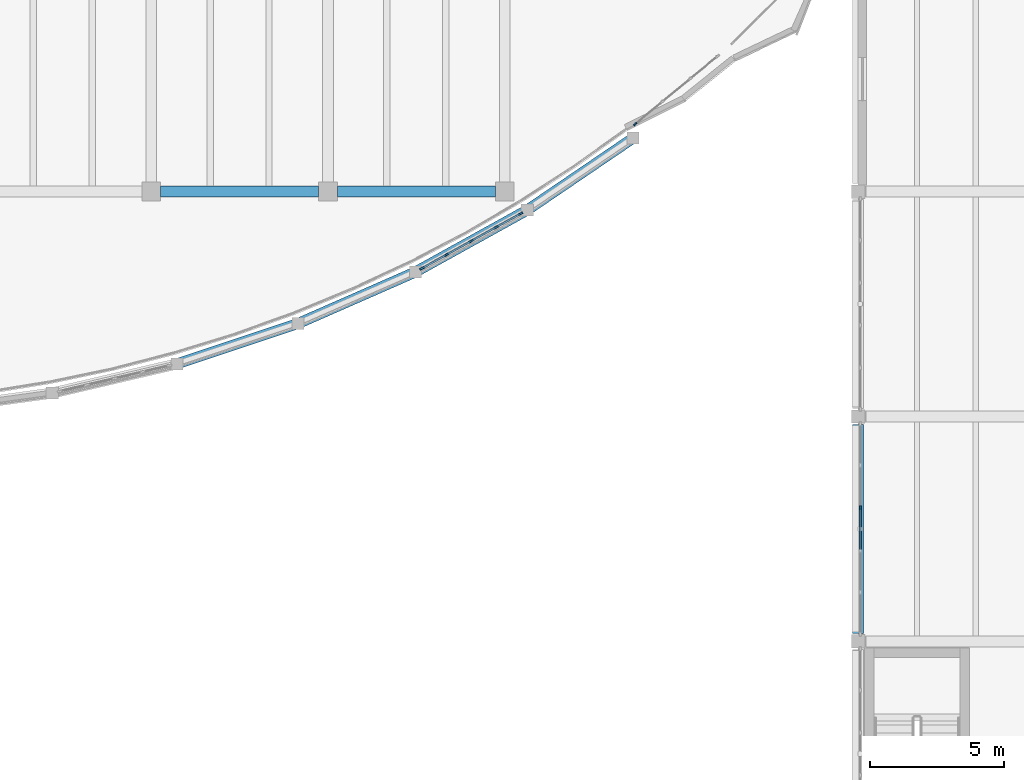
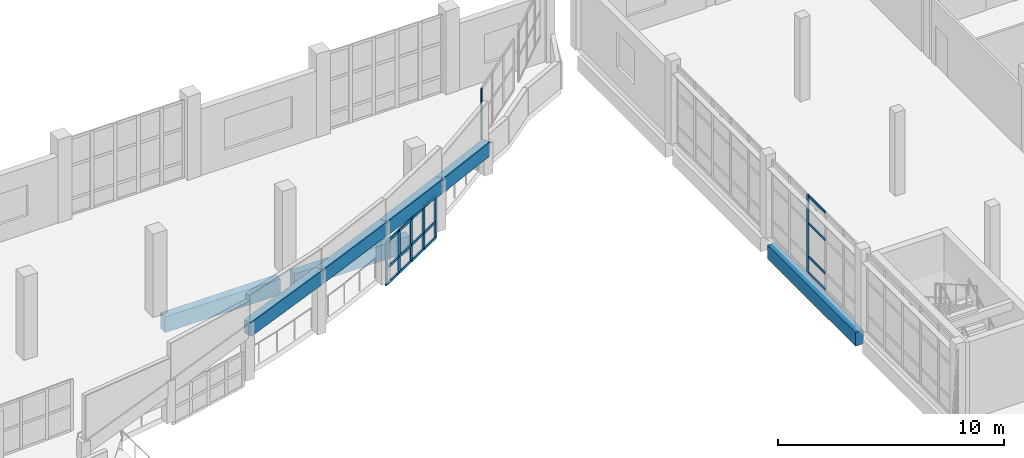
# One storey, part 30 of 83: 23 members, 7 beams, 3 elements without a shape of their own.
"""IFC4 building model written with IfcOpenShell, lengths in metres."""

from ifc_helpers import new_model, si_unit, direction, frame, origin, origin_2d, place, context, subcontext, project, spatial, rectangle, extrude, material, material_profile, profile_set, type_object, element, aggregate, save


model = new_model("IFC4")

# Units and contexts
model_context = context("Model", 3, precision=1e-05, world=origin(), true_north=direction((0.0, 1.0)))
body_context = subcontext(model_context, "Body", "Model", "MODEL_VIEW")
ifc_project = project(units=[si_unit("LENGTHUNIT", "METRE"), si_unit("AREAUNIT", "SQUARE_METRE"), si_unit("VOLUMEUNIT", "CUBIC_METRE"), si_unit("PLANEANGLEUNIT", "RADIAN"), si_unit("MASSUNIT", "GRAM", prefix="KILO")], contexts=[model_context])

# Site, building, storey
site_placement = place(None, origin())
site = spatial("IfcSite", under=ifc_project, at=site_placement, CompositionType="ELEMENT")
building_placement = place(site_placement, origin())
building = spatial("IfcBuilding", under=site, at=building_placement, Name="Qaldarim Faculty of Natural and Applied Sciences", CompositionType="ELEMENT")
storey_placement = place(building_placement, frame((0.0, 0.0, 5.39990234375)))
storey = spatial("IfcBuildingStorey", under=building, at=storey_placement, Name="L01", CompositionType="ELEMENT", Elevation=5.39990234375)

# Beams
ifc_material_1 = material(Name="Concrete C50/60", Category="concrete")
ifc_material_profile_1 = material_profile(ifc_material_1, rectangle(XDim=0.39990234375, YDim=0.75, at=origin_2d()), Name="RC-B400x750")
ifc_profile_set_1 = profile_set([ifc_material_profile_1], Name="Concrete C50/60")
beam_type_1 = type_object("IfcBeamType", Name="LabGirder-RC400x750", PredefinedType="BEAM", material=ifc_profile_set_1)
beam_1_placement = place(storey_placement, frame((126.360107421875, 102.764892578125, 2.675048828125), z_axis=(0.946352448239, 0.315467817848, 0.069979279885), x_axis=(-0.316243105172, 0.948678184861, 0.0)))
element("IfcBeam", 1, at=beam_1_placement, inside=storey, type_object=beam_type_1, Name="Arched entrance RC portal beam 06-08", PredefinedType="BEAM", context=body_context, shape_type="SweptSolid", body=[
    extrude(rectangle(XDim=0.39990234375, YDim=0.75, at=origin_2d()), origin(), (0.0, 0.0, 1.0), 4.78662109375),
])
beam_2_placement = place(storey_placement, frame((130.889892578125, 104.27490234375, 3.010009765625), z_axis=(0.915445619972, 0.401784587114, -0.022988310769), x_axis=(-0.40189079324, 0.915687605196, 0.0)))
element("IfcBeam", 2, at=beam_2_placement, inside=storey, type_object=beam_type_1, Name="Arched entrance RC portal beam 08-10", PredefinedType="BEAM", context=body_context, shape_type="SweptSolid", body=[
    extrude(rectangle(XDim=0.39990234375, YDim=0.75, at=origin_2d()), origin(), (0.0, 0.0, 1.0), 4.779052734375),
])
beam_3_placement = place(storey_placement, frame((135.264892578125, 106.195068359375, 2.900146484375), z_axis=(0.868761279043, 0.481111695356, -0.117411143541), x_axis=(-0.484462532809, 0.874812010837, 0.0)))
element("IfcBeam", 3, at=beam_3_placement, inside=storey, type_object=beam_type_1, Name="Arched entrance RC portal beam 10-12", PredefinedType="BEAM", context=body_context, shape_type="SweptSolid", body=[
    extrude(rectangle(XDim=0.39990234375, YDim=0.75, at=origin_2d()), origin(), (0.0, 0.0, 1.0), 4.811767578125),
])
beam_4_placement = place(storey_placement, frame((139.445068359375, 108.510009765625, 2.335205078125), z_axis=(0.809121133058, 0.550016331131, -0.206893759037), x_axis=(-0.562179985993, 0.827014911201, 0.0)))
element("IfcBeam", 4, at=beam_4_placement, inside=storey, type_object=beam_type_1, Name="Arched entrance RC portal beam 12-14", PredefinedType="BEAM", context=body_context, shape_type="SweptSolid", body=[
    extrude(rectangle(XDim=0.39990234375, YDim=0.75, at=origin_2d()), origin(), (0.0, 0.0, 1.0), 4.8818359375),
])
beam_5_placement = place(storey_placement, frame((151.800048828125, 92.699951171875, -0.6748046875), z_axis=(0.0, 1.0, 0.0), x_axis=(-1.0, 0.0, 0.0)))
element("IfcBeam", 5, at=beam_5_placement, inside=storey, type_object=beam_type_1, Name="Beam RC-B400x750 L00 X24/Y12-Y13", PredefinedType="BEAM", context=body_context, shape_type="SweptSolid", body=[
    extrude(rectangle(XDim=0.39990234375, YDim=0.75, at=origin_2d()), origin(), (0.0, 0.0, 1.0), 7.800048828125),
])

# Curtain wall, member
ifc_material_2 = material(Name="Anodised aluminium AW-6063", Category="aluminium")
curtain_wall_type_1 = type_object("IfcCurtainWallType", Name="CurtainWallSystem-M1600", PredefinedType="USERDEFINED", material=ifc_material_2)
curtain_wall_1_placement = place(storey_placement, origin())
curtain_wall_1 = element("IfcCurtainWall", 6, at=curtain_wall_1_placement, inside=storey, type_object=curtain_wall_type_1, Name="Curtain wall CW-L01-W-X24Y12", ObjectType="UNITISED FACADE", PredefinedType="USERDEFINED")
ifc_material_profile_2 = material_profile(ifc_material_2, rectangle(XDim=0.06005859375, YDim=0.14990234375, at=origin_2d()), Name="ALU-M60x150")
ifc_profile_set_2 = profile_set([ifc_material_profile_2], Name="Anodised aluminium AW-6063")
member_type_1 = type_object("IfcMemberType", Name="Mullion-ALU60x150", PredefinedType="MULLION", material=ifc_profile_set_2)
member_1_placement = place(storey_placement, frame((151.8798828125, 97.39111328125, 0.0), z_axis=(0.0, 0.0, 1.0), x_axis=(1.0, 0.0, 0.0)))
member_1 = element("IfcMember", 7, at=member_1_placement, type_object=member_type_1, Name="Mullion 3 of CW-L01-W-X24Y12", PredefinedType="MULLION", context=body_context, shape_type="SweptSolid", body=[
    extrude(rectangle(XDim=0.06005859375, YDim=0.14990234375, at=origin_2d()), origin(), (0.0, 0.0, 1.0), 4.2001953125),
])

curtain_wall_type_2 = type_object("IfcCurtainWallType", Name="CurtainWallSystem-M1400", PredefinedType="USERDEFINED", material=ifc_material_2)
curtain_wall_2_placement = place(storey_placement, origin())
curtain_wall_2 = element("IfcCurtainWall", 8, at=curtain_wall_2_placement, inside=storey, type_object=curtain_wall_type_2, Name="Curtain wall CW-V4ARC-L01-14", ObjectType="STICK CURTAIN WALL", PredefinedType="USERDEFINED")
member_2_placement = place(storey_placement, frame((143.478271484375, 111.718994140625, 1.4501953125), z_axis=(0.0, 0.0, 1.0), x_axis=(-0.635930067271, 0.771746687418, 0.0)))
member_2 = element("IfcMember", 9, at=member_2_placement, type_object=member_type_1, Name="Mullion 1 of CW-V4ARC-L01-14", PredefinedType="MULLION", context=body_context, shape_type="SweptSolid", body=[
    extrude(rectangle(XDim=0.06005859375, YDim=0.14990234375, at=origin_2d()), origin(), (0.0, 0.0, 1.0), 2.75),
])
aggregate(curtain_wall_2, [member_2])

# Curtain wall, members
curtain_wall_type_3 = type_object("IfcCurtainWallType", Name="CurtainWallSystem-M1200", PredefinedType="USERDEFINED", material=ifc_material_2)
curtain_wall_3_placement = place(storey_placement, origin())
curtain_wall_3 = element("IfcCurtainWall", 10, at=curtain_wall_3_placement, inside=storey, type_object=curtain_wall_type_3, Name="Curtain wall CW-PORT-TOP-5", ObjectType="STICK CURTAIN WALL", PredefinedType="USERDEFINED")
ifc_material_profile_3 = material_profile(ifc_material_2, rectangle(XDim=0.070068359375, YDim=0.179931640625, at=origin_2d()), Name="ALU-M70x180")
ifc_profile_set_3 = profile_set([ifc_material_profile_3], Name="Anodised aluminium AW-6063")
member_type_2 = type_object("IfcMemberType", Name="Mullion-ALU70x180", PredefinedType="MULLION", material=ifc_profile_set_3)
member_3_placement = place(storey_placement, frame((135.515625, 106.33203125, -0.35986328125), z_axis=(0.0, 0.0, 1.0), x_axis=(-0.485145414358, 0.874433489139, 0.0)))
member_3 = element("IfcMember", 11, at=member_3_placement, type_object=member_type_2, Name="Mullion 1 of CW-PORT-TOP-5", PredefinedType="MULLION", context=body_context, shape_type="SweptSolid", body=[
    extrude(rectangle(XDim=0.070068359375, YDim=0.179931640625, at=origin_2d()), origin(), (0.0, 0.0, 1.0), 2.320068359375),
])
member_4_placement = place(storey_placement, frame((136.419921875, 106.833740234375, -0.35986328125), z_axis=(0.0, 0.0, 1.0), x_axis=(-0.485145414358, 0.874433489139, 0.0)))
member_4 = element("IfcMember", 12, at=member_4_placement, type_object=member_type_2, Name="Mullion 2 of CW-PORT-TOP-5", PredefinedType="MULLION", context=body_context, shape_type="SweptSolid", body=[
    extrude(rectangle(XDim=0.070068359375, YDim=0.179931640625, at=origin_2d()), origin(), (0.0, 0.0, 1.0), 2.320068359375),
])
member_5_placement = place(storey_placement, frame((137.35498046875, 107.3525390625, -0.35986328125), z_axis=(0.0, 0.0, 1.0), x_axis=(-0.485145414358, 0.874433489139, 0.0)))
member_5 = element("IfcMember", 13, at=member_5_placement, type_object=member_type_2, Name="Mullion 3 of CW-PORT-TOP-5", PredefinedType="MULLION", context=body_context, shape_type="SweptSolid", body=[
    extrude(rectangle(XDim=0.070068359375, YDim=0.179931640625, at=origin_2d()), origin(), (0.0, 0.0, 1.0), 2.320068359375),
])
member_6_placement = place(storey_placement, frame((138.2900390625, 107.871337890625, -0.35986328125), z_axis=(0.0, 0.0, 1.0), x_axis=(-0.485145414358, 0.874433489139, 0.0)))
member_6 = element("IfcMember", 14, at=member_6_placement, type_object=member_type_2, Name="Mullion 4 of CW-PORT-TOP-5", PredefinedType="MULLION", context=body_context, shape_type="SweptSolid", body=[
    extrude(rectangle(XDim=0.070068359375, YDim=0.179931640625, at=origin_2d()), origin(), (0.0, 0.0, 1.0), 2.320068359375),
])
member_7_placement = place(storey_placement, frame((139.1943359375, 108.373046875, -0.35986328125), z_axis=(0.0, 0.0, 1.0), x_axis=(-0.485145414358, 0.874433489139, 0.0)))
member_7 = element("IfcMember", 15, at=member_7_placement, type_object=member_type_2, Name="Mullion 5 of CW-PORT-TOP-5", PredefinedType="MULLION", context=body_context, shape_type="SweptSolid", body=[
    extrude(rectangle(XDim=0.070068359375, YDim=0.179931640625, at=origin_2d()), origin(), (0.0, 0.0, 1.0), 2.320068359375),
])

# Beams
ifc_material_profile_4 = material_profile(ifc_material_1, rectangle(XDim=0.39990234375, YDim=0.85009765625, at=origin_2d()), Name="RC-B400x850")
ifc_profile_set_4 = profile_set([ifc_material_profile_4], Name="Concrete C50/60")
beam_type_2 = type_object("IfcBeamType", Name="PodiumGirder-RC400x850", PredefinedType="BEAM", material=ifc_profile_set_4)
for number, where, z_axis, x_axis, name in (
    (16, (125.75, 109.199951171875, -0.724853515625), (1.0, 0.0, 0.0), (0.0, 1.0, 0.0), "Beam RC-B400x850 L00 X20-X21/Y14"),
    (17, (132.35009765625, 109.199951171875, -0.724853515625), (1.0, 0.0, 0.0), (0.0, 1.0, 0.0), "Beam RC-B400x850 L00 X21-X22/Y14"),
):
    element("IfcBeam", number, at=place(storey_placement, frame(where, z_axis=z_axis, x_axis=x_axis)), inside=storey, type_object=beam_type_2, Name=name, PredefinedType="BEAM", context=body_context, shape_type="SweptSolid", body=[
        extrude(rectangle(XDim=0.39990234375, YDim=0.85009765625, at=origin_2d()), origin(), (0.0, 0.0, 1.0), 5.89990234375),
    ])

# Member
ifc_material_profile_5 = material_profile(ifc_material_2, rectangle(XDim=0.06005859375, YDim=0.1201171875, at=origin_2d()), Name="ALU-T60x120")
ifc_profile_set_5 = profile_set([ifc_material_profile_5], Name="Anodised aluminium AW-6063")
member_type_3 = type_object("IfcMemberType", Name="Transom-ALU60x120", PredefinedType="USERDEFINED", material=ifc_profile_set_5)
member_8_placement = place(storey_placement, frame((151.8798828125, 97.361083984375, 0.030029296875), z_axis=(0.0, -1.0, 0.0), x_axis=(1.0, 0.0, 0.0)))
member_8 = element("IfcMember", 18, at=member_8_placement, type_object=member_type_3, Name="Transom 3-1 of CW-L01-W-X24Y12", ObjectType="TRANSOM", PredefinedType="USERDEFINED", context=body_context, shape_type="SweptSolid", body=[
    extrude(rectangle(XDim=0.06005859375, YDim=0.1201171875, at=origin_2d()), origin(), (0.0, 0.0, 1.0), 1.52197265625),
])

member_9_placement = place(storey_placement, frame((151.8798828125, 97.361083984375, 0.900146484375), z_axis=(0.0, -1.0, 0.0), x_axis=(1.0, 0.0, 0.0)))
member_9 = element("IfcMember", 19, at=member_9_placement, type_object=member_type_3, Name="Transom 3-2 of CW-L01-W-X24Y12", ObjectType="TRANSOM", PredefinedType="USERDEFINED", context=body_context, shape_type="SweptSolid", body=[
    extrude(rectangle(XDim=0.06005859375, YDim=0.1201171875, at=origin_2d()), origin(), (0.0, 0.0, 1.0), 1.52197265625),
])

member_10_placement = place(storey_placement, frame((151.8798828125, 97.361083984375, 2.7001953125), z_axis=(0.0, -1.0, 0.0), x_axis=(1.0, 0.0, 0.0)))
member_10 = element("IfcMember", 20, at=member_10_placement, type_object=member_type_3, Name="Transom 3-3 of CW-L01-W-X24Y12", ObjectType="TRANSOM", PredefinedType="USERDEFINED", context=body_context, shape_type="SweptSolid", body=[
    extrude(rectangle(XDim=0.06005859375, YDim=0.1201171875, at=origin_2d()), origin(), (0.0, 0.0, 1.0), 1.52197265625),
])

member_11_placement = place(storey_placement, frame((151.8798828125, 97.361083984375, 4.170166015625), z_axis=(0.0, -1.0, 0.0), x_axis=(1.0, 0.0, 0.0)))
member_11 = element("IfcMember", 21, at=member_11_placement, type_object=member_type_3, Name="Transom 3-4 of CW-L01-W-X24Y12", ObjectType="TRANSOM", PredefinedType="USERDEFINED", context=body_context, shape_type="SweptSolid", body=[
    extrude(rectangle(XDim=0.06005859375, YDim=0.1201171875, at=origin_2d()), origin(), (0.0, 0.0, 1.0), 1.52197265625),
])

aggregate(curtain_wall_1, [member_1, member_8, member_9, member_10, member_11])

ifc_material_profile_6 = material_profile(ifc_material_2, rectangle(XDim=0.070068359375, YDim=0.139892578125, at=origin_2d()), Name="ALU-T70x140")
ifc_profile_set_6 = profile_set([ifc_material_profile_6], Name="Anodised aluminium AW-6063")
member_type_4 = type_object("IfcMemberType", Name="Transom-ALU70x140", PredefinedType="USERDEFINED", material=ifc_profile_set_6)
member_12_placement = place(storey_placement, frame((135.546142578125, 106.34912109375, -0.324951171875), z_axis=(0.874467595503, 0.485083935433, 0.0), x_axis=(-0.485083935433, 0.874467595503, 0.0)))
member_12 = element("IfcMember", 22, at=member_12_placement, type_object=member_type_4, Name="Transom 1-1 of CW-PORT-TOP-5", ObjectType="TRANSOM", PredefinedType="USERDEFINED", context=body_context, shape_type="SweptSolid", body=[
    extrude(rectangle(XDim=0.070068359375, YDim=0.139892578125, at=origin_2d()), origin(), (0.0, 0.0, 1.0), 0.96435546875),
])

member_13_placement = place(storey_placement, frame((135.546142578125, 106.34912109375, 0.5400390625), z_axis=(0.874467595503, 0.485083935433, 0.0), x_axis=(-0.485083935433, 0.874467595503, 0.0)))
member_13 = element("IfcMember", 23, at=member_13_placement, type_object=member_type_4, Name="Transom 1-2 of CW-PORT-TOP-5", ObjectType="TRANSOM", PredefinedType="USERDEFINED", context=body_context, shape_type="SweptSolid", body=[
    extrude(rectangle(XDim=0.070068359375, YDim=0.139892578125, at=origin_2d()), origin(), (0.0, 0.0, 1.0), 0.96435546875),
])

member_14_placement = place(storey_placement, frame((135.546142578125, 106.34912109375, 1.925048828125), z_axis=(0.874467595503, 0.485083935433, 0.0), x_axis=(-0.485083935433, 0.874467595503, 0.0)))
member_14 = element("IfcMember", 24, at=member_14_placement, type_object=member_type_4, Name="Transom 1-3 of CW-PORT-TOP-5", ObjectType="TRANSOM", PredefinedType="USERDEFINED", context=body_context, shape_type="SweptSolid", body=[
    extrude(rectangle(XDim=0.070068359375, YDim=0.139892578125, at=origin_2d()), origin(), (0.0, 0.0, 1.0), 0.96435546875),
])

member_15_placement = place(storey_placement, frame((136.45068359375, 106.8505859375, -0.324951171875), z_axis=(0.874399176559, 0.485207254721, 0.0), x_axis=(-0.485207254721, 0.874399176559, 0.0)))
member_15 = element("IfcMember", 25, at=member_15_placement, type_object=member_type_4, Name="Transom 2-1 of CW-PORT-TOP-5", ObjectType="TRANSOM", PredefinedType="USERDEFINED", context=body_context, shape_type="SweptSolid", body=[
    extrude(rectangle(XDim=0.070068359375, YDim=0.139892578125, at=origin_2d()), origin(), (0.0, 0.0, 1.0), 0.999267578125),
])

member_16_placement = place(storey_placement, frame((136.45068359375, 106.8505859375, 0.5400390625), z_axis=(0.874399176559, 0.485207254721, 0.0), x_axis=(-0.485207254721, 0.874399176559, 0.0)))
member_16 = element("IfcMember", 26, at=member_16_placement, type_object=member_type_4, Name="Transom 2-2 of CW-PORT-TOP-5", ObjectType="TRANSOM", PredefinedType="USERDEFINED", context=body_context, shape_type="SweptSolid", body=[
    extrude(rectangle(XDim=0.070068359375, YDim=0.139892578125, at=origin_2d()), origin(), (0.0, 0.0, 1.0), 0.999267578125),
])

member_17_placement = place(storey_placement, frame((136.45068359375, 106.8505859375, 1.925048828125), z_axis=(0.874399176559, 0.485207254721, 0.0), x_axis=(-0.485207254721, 0.874399176559, 0.0)))
member_17 = element("IfcMember", 27, at=member_17_placement, type_object=member_type_4, Name="Transom 2-3 of CW-PORT-TOP-5", ObjectType="TRANSOM", PredefinedType="USERDEFINED", context=body_context, shape_type="SweptSolid", body=[
    extrude(rectangle(XDim=0.070068359375, YDim=0.139892578125, at=origin_2d()), origin(), (0.0, 0.0, 1.0), 0.999267578125),
])

member_18_placement = place(storey_placement, frame((137.385498046875, 107.369384765625, -0.324951171875), z_axis=(0.874456675978, 0.485103619691, 0.0), x_axis=(-0.485103619691, 0.874456675978, 0.0)))
member_18 = element("IfcMember", 28, at=member_18_placement, type_object=member_type_4, Name="Transom 3-1 of CW-PORT-TOP-5", ObjectType="TRANSOM", PredefinedType="USERDEFINED", context=body_context, shape_type="SweptSolid", body=[
    extrude(rectangle(XDim=0.070068359375, YDim=0.139892578125, at=origin_2d()), origin(), (0.0, 0.0, 1.0), 0.99951171875),
])

member_19_placement = place(storey_placement, frame((137.385498046875, 107.369384765625, 0.5400390625), z_axis=(0.874456675978, 0.485103619691, 0.0), x_axis=(-0.485103619691, 0.874456675978, 0.0)))
member_19 = element("IfcMember", 29, at=member_19_placement, type_object=member_type_4, Name="Transom 3-2 of CW-PORT-TOP-5", ObjectType="TRANSOM", PredefinedType="USERDEFINED", context=body_context, shape_type="SweptSolid", body=[
    extrude(rectangle(XDim=0.070068359375, YDim=0.139892578125, at=origin_2d()), origin(), (0.0, 0.0, 1.0), 0.99951171875),
])

member_20_placement = place(storey_placement, frame((137.385498046875, 107.369384765625, 1.925048828125), z_axis=(0.874456675978, 0.485103619691, 0.0), x_axis=(-0.485103619691, 0.874456675978, 0.0)))
member_20 = element("IfcMember", 30, at=member_20_placement, type_object=member_type_4, Name="Transom 3-3 of CW-PORT-TOP-5", ObjectType="TRANSOM", PredefinedType="USERDEFINED", context=body_context, shape_type="SweptSolid", body=[
    extrude(rectangle(XDim=0.070068359375, YDim=0.139892578125, at=origin_2d()), origin(), (0.0, 0.0, 1.0), 0.99951171875),
])

member_21_placement = place(storey_placement, frame((138.320556640625, 107.88818359375, -0.324951171875), z_axis=(0.874467595503, 0.485083935433, 0.0), x_axis=(-0.485083935433, 0.874467595503, 0.0)))
member_21 = element("IfcMember", 31, at=member_21_placement, type_object=member_type_4, Name="Transom 4-1 of CW-PORT-TOP-5", ObjectType="TRANSOM", PredefinedType="USERDEFINED", context=body_context, shape_type="SweptSolid", body=[
    extrude(rectangle(XDim=0.070068359375, YDim=0.139892578125, at=origin_2d()), origin(), (0.0, 0.0, 1.0), 0.96435546875),
])

member_22_placement = place(storey_placement, frame((138.320556640625, 107.88818359375, 0.5400390625), z_axis=(0.874467595503, 0.485083935433, 0.0), x_axis=(-0.485083935433, 0.874467595503, 0.0)))
member_22 = element("IfcMember", 32, at=member_22_placement, type_object=member_type_4, Name="Transom 4-2 of CW-PORT-TOP-5", ObjectType="TRANSOM", PredefinedType="USERDEFINED", context=body_context, shape_type="SweptSolid", body=[
    extrude(rectangle(XDim=0.070068359375, YDim=0.139892578125, at=origin_2d()), origin(), (0.0, 0.0, 1.0), 0.96435546875),
])

member_23_placement = place(storey_placement, frame((138.320556640625, 107.88818359375, 1.925048828125), z_axis=(0.874467595503, 0.485083935433, 0.0), x_axis=(-0.485083935433, 0.874467595503, 0.0)))
member_23 = element("IfcMember", 33, at=member_23_placement, type_object=member_type_4, Name="Transom 4-3 of CW-PORT-TOP-5", ObjectType="TRANSOM", PredefinedType="USERDEFINED", context=body_context, shape_type="SweptSolid", body=[
    extrude(rectangle(XDim=0.070068359375, YDim=0.139892578125, at=origin_2d()), origin(), (0.0, 0.0, 1.0), 0.96435546875),
])

aggregate(curtain_wall_3, [member_3, member_4, member_5, member_6, member_7, member_12, member_13, member_14, member_15, member_16, member_17, member_18, member_19, member_20, member_21, member_22, member_23])

save(model, "model.ifc")
